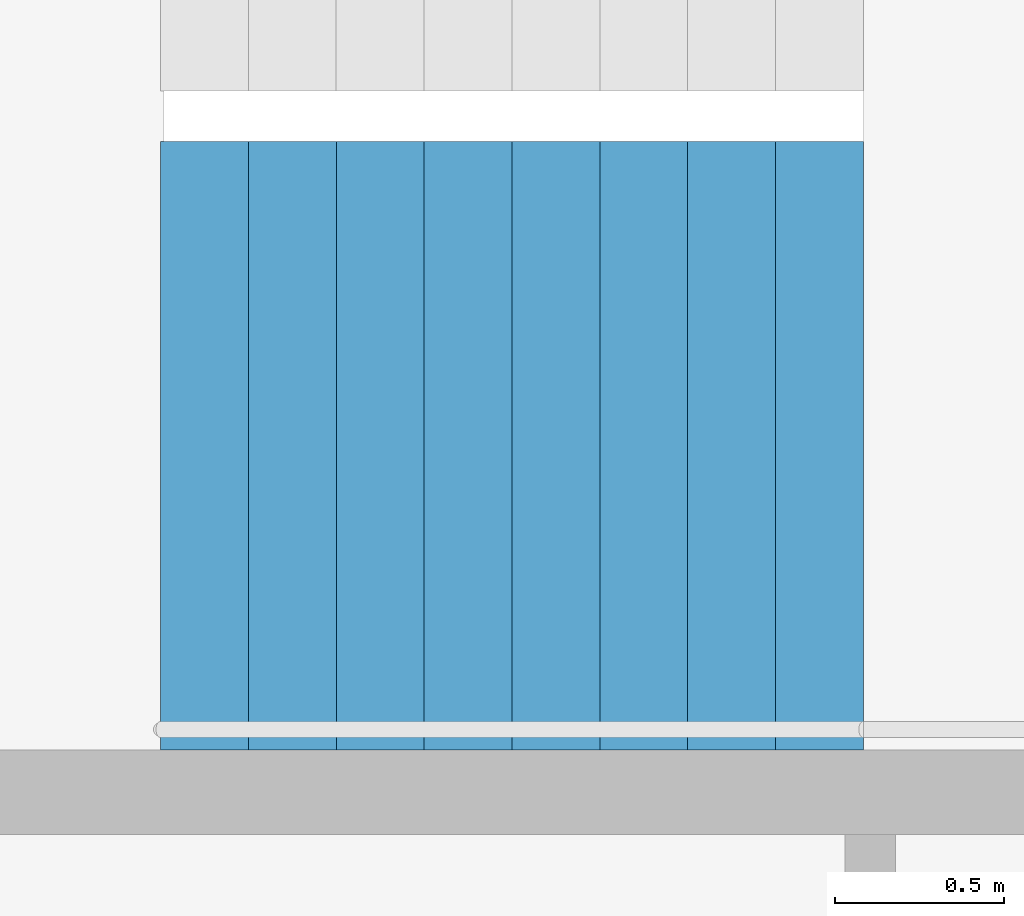
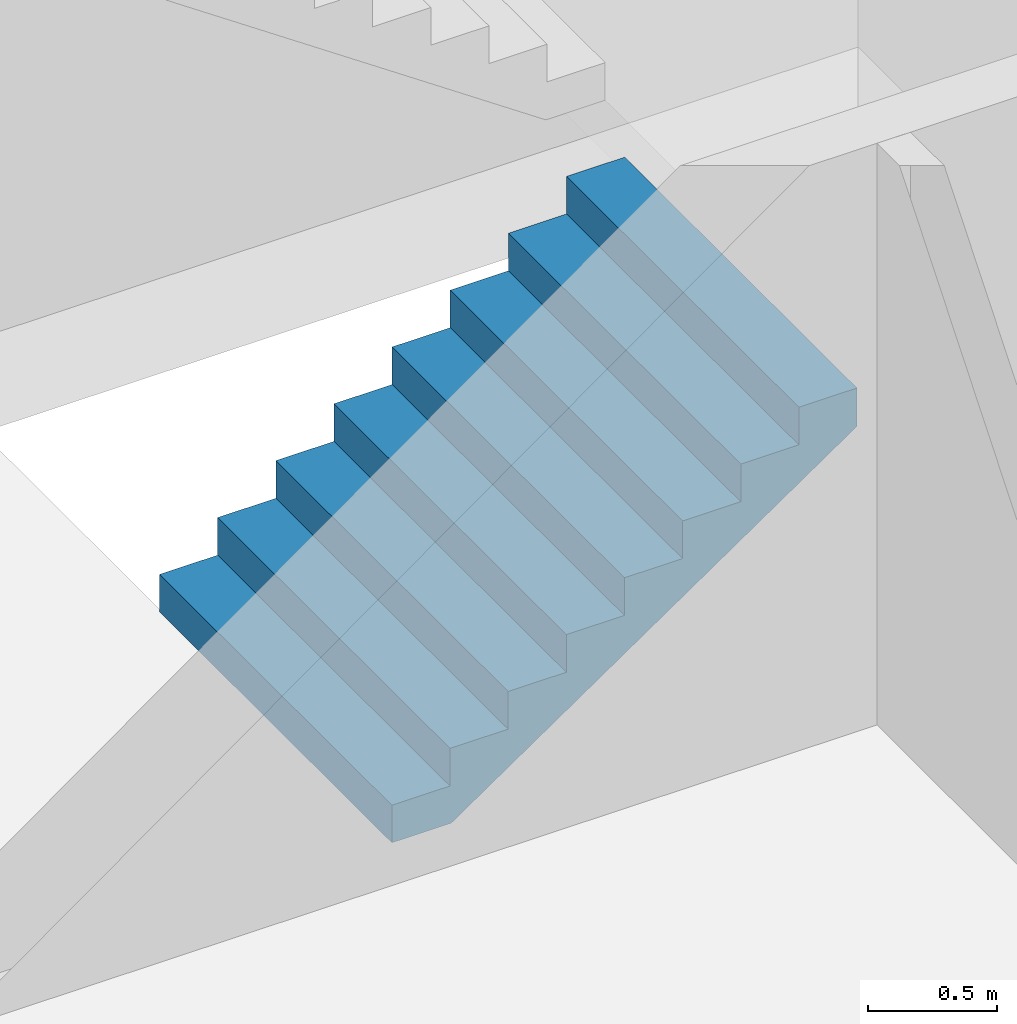
# One storey, part 20 of 26: 1 stair flight, 1 element without a shape of its own.
"""IFC4 building model written with IfcOpenShell, lengths in metres."""

from ifc_helpers import new_model, si_unit, direction, frame, origin, place, context, subcontext, project, spatial, triangles, material, type_object, element, aggregate, save


model = new_model("IFC4")

# Units and contexts
model_context = context("Model", 3, precision=1e-05, world=origin(), true_north=direction((0.0, 1.0)))
body_context = subcontext(model_context, "Body", "Model", "MODEL_VIEW")
ifc_project = project(units=[si_unit("LENGTHUNIT", "METRE"), si_unit("AREAUNIT", "SQUARE_METRE"), si_unit("VOLUMEUNIT", "CUBIC_METRE"), si_unit("PLANEANGLEUNIT", "RADIAN"), si_unit("MASSUNIT", "GRAM", prefix="KILO")], contexts=[model_context])

# Site, building, storey
site_placement = place(None, origin())
site = spatial("IfcSite", under=ifc_project, at=site_placement, CompositionType="ELEMENT")
building_placement = place(site_placement, origin())
building = spatial("IfcBuilding", under=site, at=building_placement, Name="Hakoniwa Tower and Hamabe Station Hall", CompositionType="ELEMENT")
storey_placement = place(building_placement, frame((0.0, 0.0, 215.39990234375)))
storey = spatial("IfcBuildingStorey", under=building, at=storey_placement, Name="L61", CompositionType="ELEMENT", Elevation=215.39990234375)

# Stair, stair flight
ifc_material_1 = material(Name="Concrete C40", Category="concrete")
stair_type = type_object("IfcStairType", Name="ESCAPE STAIR 1800", PredefinedType="HALF_TURN_STAIR", material=ifc_material_1)
stair_placement = place(storey_placement, origin())
stair = element("IfcStair", 1, at=stair_placement, inside=storey, type_object=stair_type, Name="Escape stair ST-1 L61", PredefinedType="HALF_TURN_STAIR")
ifc_material_2 = material(Name="Concrete C40", Category="concrete")
stair_flight_type = type_object("IfcStairFlightType", Name="STAIR FLIGHT 1800", PredefinedType="STRAIGHT", material=ifc_material_2)
stair_flight_placement = place(storey_placement, frame((-24.39990234375, 4.64990234375, 0.0), z_axis=(0.0, 0.0, 1.0), x_axis=(1.0, 0.0, 0.0)))
stair_flight = element("IfcStairFlight", 2, at=stair_flight_placement, type_object=stair_flight_type, Name="ST-1 flight 1", NumberOfRisers=9, NumberOfTreads=8, PredefinedType="STRAIGHT", RiserHeight=0.177777778, TreadLength=0.26, context=body_context, shape_type="Tessellation", body=[
    triangles([(0.0, 0.89990234375, 0.0), (0.260009765625, 0.89990234375, 0.0), (0.265625, 0.89990234375, 0.0), (0.52001953125, 0.89990234375, 0.174072265625), (0.780029296875, 0.89990234375, 0.351806640625), (1.0400390625, 0.89990234375, 0.529541015625), (1.300048828125, 0.89990234375, 0.707275390625), (1.56005859375, 0.89990234375, 0.885009765625), (1.820068359375, 0.89990234375, 1.062744140625), (2.080078125, 0.89990234375, 1.24072265625), (2.080078125, 0.89990234375, 1.422119140625), (1.820068359375, 0.89990234375, 1.422119140625), (1.820068359375, 0.89990234375, 1.244384765625), (1.56005859375, 0.89990234375, 1.244384765625), (1.56005859375, 0.89990234375, 1.066650390625), (1.300048828125, 0.89990234375, 1.066650390625), (1.300048828125, 0.89990234375, 0.888916015625), (1.0400390625, 0.89990234375, 0.888916015625), (1.0400390625, 0.89990234375, 0.711181640625), (0.780029296875, 0.89990234375, 0.711181640625), (0.780029296875, 0.89990234375, 0.533447265625), (0.52001953125, 0.89990234375, 0.533447265625), (0.52001953125, 0.89990234375, 0.35546875), (0.265625, 0.89990234375, 0.35546875), (0.260009765625, 0.89990234375, 0.35546875), (0.260009765625, 0.89990234375, 0.177734375), (0.0, 0.89990234375, 0.177734375), (0.0, 0.06005859375, 0.0), (0.260009765625, 0.06005859375, 0.0), (0.265625, 0.06005859375, 0.0), (0.52001953125, 0.06005859375, 0.174072265625), (0.780029296875, 0.06005859375, 0.351806640625), (1.0400390625, 0.06005859375, 0.529541015625), (1.300048828125, 0.06005859375, 0.707275390625), (1.56005859375, 0.06005859375, 0.885009765625), (1.820068359375, 0.06005859375, 1.062744140625), (2.080078125, 0.06005859375, 1.24072265625), (2.080078125, 0.06005859375, 1.422119140625), (1.820068359375, 0.06005859375, 1.422119140625), (1.820068359375, 0.06005859375, 1.244384765625), (1.56005859375, 0.06005859375, 1.244384765625), (1.56005859375, 0.06005859375, 1.066650390625), (1.300048828125, 0.06005859375, 1.066650390625), (1.300048828125, 0.06005859375, 0.888916015625), (1.0400390625, 0.06005859375, 0.888916015625), (1.0400390625, 0.06005859375, 0.711181640625), (0.780029296875, 0.06005859375, 0.711181640625), (0.780029296875, 0.06005859375, 0.533447265625), (0.52001953125, 0.06005859375, 0.533447265625), (0.52001953125, 0.06005859375, 0.35546875), (0.265625, 0.06005859375, 0.35546875), (0.260009765625, 0.06005859375, 0.35546875), (0.260009765625, 0.06005859375, 0.177734375), (0.0, 0.06005859375, 0.177734375), (0.0, 0.04296875, 0.0), (0.260009765625, 0.04296875, 0.0), (0.265625, 0.04296875, 0.0), (0.52001953125, 0.04296875, 0.174072265625), (0.780029296875, 0.04296875, 0.351806640625), (1.0400390625, 0.04296875, 0.529541015625), (1.300048828125, 0.04296875, 0.707275390625), (1.56005859375, 0.04296875, 0.885009765625), (1.820068359375, 0.04296875, 1.062744140625), (2.080078125, 0.04296875, 1.24072265625), (2.080078125, 0.04296875, 1.422119140625), (1.820068359375, 0.04296875, 1.422119140625), (1.820068359375, 0.04296875, 1.244384765625), (1.56005859375, 0.04296875, 1.244384765625), (1.56005859375, 0.04296875, 1.066650390625), (1.300048828125, 0.04296875, 1.066650390625), (1.300048828125, 0.04296875, 0.888916015625), (1.0400390625, 0.04296875, 0.888916015625), (1.0400390625, 0.04296875, 0.711181640625), (0.780029296875, 0.04296875, 0.711181640625), (0.780029296875, 0.04296875, 0.533447265625), (0.52001953125, 0.04296875, 0.533447265625), (0.52001953125, 0.04296875, 0.35546875), (0.265625, 0.04296875, 0.35546875), (0.260009765625, 0.04296875, 0.35546875), (0.260009765625, 0.04296875, 0.177734375), (0.0, 0.04296875, 0.177734375), (0.0, 0.025634765625, 0.0), (0.260009765625, 0.025634765625, 0.0), (0.265625, 0.025634765625, 0.0), (0.52001953125, 0.025634765625, 0.174072265625), (0.780029296875, 0.025634765625, 0.351806640625), (1.0400390625, 0.025634765625, 0.529541015625), (1.300048828125, 0.025634765625, 0.707275390625), (1.56005859375, 0.025634765625, 0.885009765625), (1.820068359375, 0.025634765625, 1.062744140625), (2.080078125, 0.025634765625, 1.24072265625), (2.080078125, 0.025634765625, 1.422119140625), (1.820068359375, 0.025634765625, 1.422119140625), (1.820068359375, 0.025634765625, 1.244384765625), (1.56005859375, 0.025634765625, 1.244384765625), (1.56005859375, 0.025634765625, 1.066650390625), (1.300048828125, 0.025634765625, 1.066650390625), (1.300048828125, 0.025634765625, 0.888916015625), (1.0400390625, 0.025634765625, 0.888916015625), (1.0400390625, 0.025634765625, 0.711181640625), (0.780029296875, 0.025634765625, 0.711181640625), (0.780029296875, 0.025634765625, 0.533447265625), (0.52001953125, 0.025634765625, 0.533447265625), (0.52001953125, 0.025634765625, 0.35546875), (0.265625, 0.025634765625, 0.35546875), (0.260009765625, 0.025634765625, 0.35546875), (0.260009765625, 0.025634765625, 0.177734375), (0.0, 0.025634765625, 0.177734375), (0.0, 0.008544921875, 0.0), (0.260009765625, 0.008544921875, 0.0), (0.265625, 0.008544921875, 0.0), (0.52001953125, 0.008544921875, 0.174072265625), (0.780029296875, 0.008544921875, 0.351806640625), (1.0400390625, 0.008544921875, 0.529541015625), (1.300048828125, 0.008544921875, 0.707275390625), (1.56005859375, 0.008544921875, 0.885009765625), (1.820068359375, 0.008544921875, 1.062744140625), (2.080078125, 0.008544921875, 1.24072265625), (2.080078125, 0.008544921875, 1.422119140625), (1.820068359375, 0.008544921875, 1.422119140625), (1.820068359375, 0.008544921875, 1.244384765625), (1.56005859375, 0.008544921875, 1.244384765625), (1.56005859375, 0.008544921875, 1.066650390625), (1.300048828125, 0.008544921875, 1.066650390625), (1.300048828125, 0.008544921875, 0.888916015625), (1.0400390625, 0.008544921875, 0.888916015625), (1.0400390625, 0.008544921875, 0.711181640625), (0.780029296875, 0.008544921875, 0.711181640625), (0.780029296875, 0.008544921875, 0.533447265625), (0.52001953125, 0.008544921875, 0.533447265625), (0.52001953125, 0.008544921875, 0.35546875), (0.265625, 0.008544921875, 0.35546875), (0.260009765625, 0.008544921875, 0.35546875), (0.260009765625, 0.008544921875, 0.177734375), (0.0, 0.008544921875, 0.177734375), (0.0, -0.008544921875, 0.0), (0.260009765625, -0.008544921875, 0.0), (0.265625, -0.008544921875, 0.0), (0.52001953125, -0.008544921875, 0.174072265625), (0.780029296875, -0.008544921875, 0.351806640625), (1.0400390625, -0.008544921875, 0.529541015625), (1.300048828125, -0.008544921875, 0.707275390625), (1.56005859375, -0.008544921875, 0.885009765625), (1.820068359375, -0.008544921875, 1.062744140625), (2.080078125, -0.008544921875, 1.24072265625), (2.080078125, -0.008544921875, 1.422119140625), (1.820068359375, -0.008544921875, 1.422119140625), (1.820068359375, -0.008544921875, 1.244384765625), (1.56005859375, -0.008544921875, 1.244384765625), (1.56005859375, -0.008544921875, 1.066650390625), (1.300048828125, -0.008544921875, 1.066650390625), (1.300048828125, -0.008544921875, 0.888916015625), (1.0400390625, -0.008544921875, 0.888916015625), (1.0400390625, -0.008544921875, 0.711181640625), (0.780029296875, -0.008544921875, 0.711181640625), (0.780029296875, -0.008544921875, 0.533447265625), (0.52001953125, -0.008544921875, 0.533447265625), (0.52001953125, -0.008544921875, 0.35546875), (0.265625, -0.008544921875, 0.35546875), (0.260009765625, -0.008544921875, 0.35546875), (0.260009765625, -0.008544921875, 0.177734375), (0.0, -0.008544921875, 0.177734375), (0.0, -0.025634765625, 0.0), (0.260009765625, -0.025634765625, 0.0), (0.265625, -0.025634765625, 0.0), (0.52001953125, -0.025634765625, 0.174072265625), (0.780029296875, -0.025634765625, 0.351806640625), (1.0400390625, -0.025634765625, 0.529541015625), (1.300048828125, -0.025634765625, 0.707275390625), (1.56005859375, -0.025634765625, 0.885009765625), (1.820068359375, -0.025634765625, 1.062744140625), (2.080078125, -0.025634765625, 1.24072265625), (2.080078125, -0.025634765625, 1.422119140625), (1.820068359375, -0.025634765625, 1.422119140625), (1.820068359375, -0.025634765625, 1.244384765625), (1.56005859375, -0.025634765625, 1.244384765625), (1.56005859375, -0.025634765625, 1.066650390625), (1.300048828125, -0.025634765625, 1.066650390625), (1.300048828125, -0.025634765625, 0.888916015625), (1.0400390625, -0.025634765625, 0.888916015625), (1.0400390625, -0.025634765625, 0.711181640625), (0.780029296875, -0.025634765625, 0.711181640625), (0.780029296875, -0.025634765625, 0.533447265625), (0.52001953125, -0.025634765625, 0.533447265625), (0.52001953125, -0.025634765625, 0.35546875), (0.265625, -0.025634765625, 0.35546875), (0.260009765625, -0.025634765625, 0.35546875), (0.260009765625, -0.025634765625, 0.177734375), (0.0, -0.025634765625, 0.177734375), (0.0, -0.04296875, 0.0), (0.260009765625, -0.04296875, 0.0), (0.265625, -0.04296875, 0.0), (0.52001953125, -0.04296875, 0.174072265625), (0.780029296875, -0.04296875, 0.351806640625), (1.0400390625, -0.04296875, 0.529541015625), (1.300048828125, -0.04296875, 0.707275390625), (1.56005859375, -0.04296875, 0.885009765625), (1.820068359375, -0.04296875, 1.062744140625), (2.080078125, -0.04296875, 1.24072265625), (2.080078125, -0.04296875, 1.422119140625), (1.820068359375, -0.04296875, 1.422119140625), (1.820068359375, -0.04296875, 1.244384765625), (1.56005859375, -0.04296875, 1.244384765625), (1.56005859375, -0.04296875, 1.066650390625), (1.300048828125, -0.04296875, 1.066650390625), (1.300048828125, -0.04296875, 0.888916015625), (1.0400390625, -0.04296875, 0.888916015625), (1.0400390625, -0.04296875, 0.711181640625), (0.780029296875, -0.04296875, 0.711181640625), (0.780029296875, -0.04296875, 0.533447265625), (0.52001953125, -0.04296875, 0.533447265625), (0.52001953125, -0.04296875, 0.35546875), (0.265625, -0.04296875, 0.35546875), (0.260009765625, -0.04296875, 0.35546875), (0.260009765625, -0.04296875, 0.177734375), (0.0, -0.04296875, 0.177734375), (0.0, -0.06005859375, 0.0), (0.260009765625, -0.06005859375, 0.0), (0.265625, -0.06005859375, 0.0), (0.52001953125, -0.06005859375, 0.174072265625), (0.780029296875, -0.06005859375, 0.351806640625), (1.0400390625, -0.06005859375, 0.529541015625), (1.300048828125, -0.06005859375, 0.707275390625), (1.56005859375, -0.06005859375, 0.885009765625), (1.820068359375, -0.06005859375, 1.062744140625), (2.080078125, -0.06005859375, 1.24072265625), (2.080078125, -0.06005859375, 1.422119140625), (1.820068359375, -0.06005859375, 1.422119140625), (1.820068359375, -0.06005859375, 1.244384765625), (1.56005859375, -0.06005859375, 1.244384765625), (1.56005859375, -0.06005859375, 1.066650390625), (1.300048828125, -0.06005859375, 1.066650390625), (1.300048828125, -0.06005859375, 0.888916015625), (1.0400390625, -0.06005859375, 0.888916015625), (1.0400390625, -0.06005859375, 0.711181640625), (0.780029296875, -0.06005859375, 0.711181640625), (0.780029296875, -0.06005859375, 0.533447265625), (0.52001953125, -0.06005859375, 0.533447265625), (0.52001953125, -0.06005859375, 0.35546875), (0.265625, -0.06005859375, 0.35546875), (0.260009765625, -0.06005859375, 0.35546875), (0.260009765625, -0.06005859375, 0.177734375), (0.0, -0.06005859375, 0.177734375), (0.0, -0.89990234375, 0.0), (0.260009765625, -0.89990234375, 0.0), (0.265625, -0.89990234375, 0.0), (0.52001953125, -0.89990234375, 0.174072265625), (0.780029296875, -0.89990234375, 0.351806640625), (1.0400390625, -0.89990234375, 0.529541015625), (1.300048828125, -0.89990234375, 0.707275390625), (1.56005859375, -0.89990234375, 0.885009765625), (1.820068359375, -0.89990234375, 1.062744140625), (2.080078125, -0.89990234375, 1.24072265625), (2.080078125, -0.89990234375, 1.422119140625), (1.820068359375, -0.89990234375, 1.422119140625), (1.820068359375, -0.89990234375, 1.244384765625), (1.56005859375, -0.89990234375, 1.244384765625), (1.56005859375, -0.89990234375, 1.066650390625), (1.300048828125, -0.89990234375, 1.066650390625), (1.300048828125, -0.89990234375, 0.888916015625), (1.0400390625, -0.89990234375, 0.888916015625), (1.0400390625, -0.89990234375, 0.711181640625), (0.780029296875, -0.89990234375, 0.711181640625), (0.780029296875, -0.89990234375, 0.533447265625), (0.52001953125, -0.89990234375, 0.533447265625), (0.52001953125, -0.89990234375, 0.35546875), (0.265625, -0.89990234375, 0.35546875), (0.260009765625, -0.89990234375, 0.35546875), (0.260009765625, -0.89990234375, 0.177734375), (0.0, -0.89990234375, 0.177734375)], [[2, 27, 26], [245, 269, 270], [2, 1, 27], [245, 270, 244], [3, 25, 24], [246, 267, 268], [3, 26, 25], [246, 268, 269], [3, 2, 26], [246, 269, 245], [4, 24, 23], [247, 266, 267], [4, 3, 24], [247, 267, 246], [5, 22, 21], [248, 264, 265], [5, 23, 22], [248, 265, 266], [5, 4, 23], [248, 266, 247], [6, 20, 19], [249, 262, 263], [6, 21, 20], [249, 263, 264], [6, 5, 21], [249, 264, 248], [7, 18, 17], [250, 260, 261], [7, 19, 18], [250, 261, 262], [7, 6, 19], [250, 262, 249], [8, 16, 15], [251, 258, 259], [8, 17, 16], [251, 259, 260], [8, 7, 17], [251, 260, 250], [9, 14, 13], [252, 256, 257], [9, 15, 14], [252, 257, 258], [9, 8, 15], [252, 258, 251], [10, 12, 11], [253, 254, 255], [10, 13, 12], [253, 255, 256], [10, 9, 13], [253, 256, 252], [1, 2, 29], [1, 29, 28], [28, 29, 56], [28, 56, 55], [55, 56, 83], [55, 83, 82], [82, 83, 110], [82, 110, 109], [109, 110, 137], [109, 137, 136], [136, 137, 164], [136, 164, 163], [163, 164, 191], [163, 191, 190], [190, 191, 218], [190, 218, 217], [217, 218, 245], [217, 245, 244], [2, 3, 30], [2, 30, 29], [29, 30, 57], [29, 57, 56], [56, 57, 84], [56, 84, 83], [83, 84, 111], [83, 111, 110], [110, 111, 138], [110, 138, 137], [137, 138, 165], [137, 165, 164], [164, 165, 192], [164, 192, 191], [191, 192, 219], [191, 219, 218], [218, 219, 246], [218, 246, 245], [3, 4, 31], [3, 31, 30], [30, 31, 58], [30, 58, 57], [57, 58, 85], [57, 85, 84], [84, 85, 112], [84, 112, 111], [111, 112, 139], [111, 139, 138], [138, 139, 166], [138, 166, 165], [165, 166, 193], [165, 193, 192], [192, 193, 220], [192, 220, 219], [219, 220, 247], [219, 247, 246], [4, 5, 32], [4, 32, 31], [31, 32, 59], [31, 59, 58], [58, 59, 86], [58, 86, 85], [85, 86, 113], [85, 113, 112], [112, 113, 140], [112, 140, 139], [139, 140, 167], [139, 167, 166], [166, 167, 194], [166, 194, 193], [193, 194, 221], [193, 221, 220], [220, 221, 248], [220, 248, 247], [5, 6, 33], [5, 33, 32], [32, 33, 60], [32, 60, 59], [59, 60, 87], [59, 87, 86], [86, 87, 114], [86, 114, 113], [113, 114, 141], [113, 141, 140], [140, 141, 168], [140, 168, 167], [167, 168, 195], [167, 195, 194], [194, 195, 222], [194, 222, 221], [221, 222, 249], [221, 249, 248], [6, 7, 34], [6, 34, 33], [33, 34, 61], [33, 61, 60], [60, 61, 88], [60, 88, 87], [87, 88, 115], [87, 115, 114], [114, 115, 142], [114, 142, 141], [141, 142, 169], [141, 169, 168], [168, 169, 196], [168, 196, 195], [195, 196, 223], [195, 223, 222], [222, 223, 250], [222, 250, 249], [7, 8, 35], [7, 35, 34], [34, 35, 62], [34, 62, 61], [61, 62, 89], [61, 89, 88], [88, 89, 116], [88, 116, 115], [115, 116, 143], [115, 143, 142], [142, 143, 170], [142, 170, 169], [169, 170, 197], [169, 197, 196], [196, 197, 224], [196, 224, 223], [223, 224, 251], [223, 251, 250], [8, 9, 36], [8, 36, 35], [35, 36, 63], [35, 63, 62], [62, 63, 90], [62, 90, 89], [89, 90, 117], [89, 117, 116], [116, 117, 144], [116, 144, 143], [143, 144, 171], [143, 171, 170], [170, 171, 198], [170, 198, 197], [197, 198, 225], [197, 225, 224], [224, 225, 252], [224, 252, 251], [9, 10, 37], [9, 37, 36], [36, 37, 64], [36, 64, 63], [63, 64, 91], [63, 91, 90], [90, 91, 118], [90, 118, 117], [117, 118, 145], [117, 145, 144], [144, 145, 172], [144, 172, 171], [171, 172, 199], [171, 199, 198], [198, 199, 226], [198, 226, 225], [225, 226, 253], [225, 253, 252], [10, 11, 38], [10, 38, 37], [37, 38, 65], [37, 65, 64], [64, 65, 92], [64, 92, 91], [91, 92, 119], [91, 119, 118], [118, 119, 146], [118, 146, 145], [145, 146, 173], [145, 173, 172], [172, 173, 200], [172, 200, 199], [199, 200, 227], [199, 227, 226], [226, 227, 254], [226, 254, 253], [11, 12, 39], [11, 39, 38], [38, 39, 66], [38, 66, 65], [65, 66, 93], [65, 93, 92], [92, 93, 120], [92, 120, 119], [119, 120, 147], [119, 147, 146], [146, 147, 174], [146, 174, 173], [173, 174, 201], [173, 201, 200], [200, 201, 228], [200, 228, 227], [227, 228, 255], [227, 255, 254], [12, 13, 40], [12, 40, 39], [39, 40, 67], [39, 67, 66], [66, 67, 94], [66, 94, 93], [93, 94, 121], [93, 121, 120], [120, 121, 148], [120, 148, 147], [147, 148, 175], [147, 175, 174], [174, 175, 202], [174, 202, 201], [201, 202, 229], [201, 229, 228], [228, 229, 256], [228, 256, 255], [13, 14, 41], [13, 41, 40], [40, 41, 68], [40, 68, 67], [67, 68, 95], [67, 95, 94], [94, 95, 122], [94, 122, 121], [121, 122, 149], [121, 149, 148], [148, 149, 176], [148, 176, 175], [175, 176, 203], [175, 203, 202], [202, 203, 230], [202, 230, 229], [229, 230, 257], [229, 257, 256], [14, 15, 42], [14, 42, 41], [41, 42, 69], [41, 69, 68], [68, 69, 96], [68, 96, 95], [95, 96, 123], [95, 123, 122], [122, 123, 150], [122, 150, 149], [149, 150, 177], [149, 177, 176], [176, 177, 204], [176, 204, 203], [203, 204, 231], [203, 231, 230], [230, 231, 258], [230, 258, 257], [15, 16, 43], [15, 43, 42], [42, 43, 70], [42, 70, 69], [69, 70, 97], [69, 97, 96], [96, 97, 124], [96, 124, 123], [123, 124, 151], [123, 151, 150], [150, 151, 178], [150, 178, 177], [177, 178, 205], [177, 205, 204], [204, 205, 232], [204, 232, 231], [231, 232, 259], [231, 259, 258], [16, 17, 44], [16, 44, 43], [43, 44, 71], [43, 71, 70], [70, 71, 98], [70, 98, 97], [97, 98, 125], [97, 125, 124], [124, 125, 152], [124, 152, 151], [151, 152, 179], [151, 179, 178], [178, 179, 206], [178, 206, 205], [205, 206, 233], [205, 233, 232], [232, 233, 260], [232, 260, 259], [17, 18, 45], [17, 45, 44], [44, 45, 72], [44, 72, 71], [71, 72, 99], [71, 99, 98], [98, 99, 126], [98, 126, 125], [125, 126, 153], [125, 153, 152], [152, 153, 180], [152, 180, 179], [179, 180, 207], [179, 207, 206], [206, 207, 234], [206, 234, 233], [233, 234, 261], [233, 261, 260], [18, 19, 46], [18, 46, 45], [45, 46, 73], [45, 73, 72], [72, 73, 100], [72, 100, 99], [99, 100, 127], [99, 127, 126], [126, 127, 154], [126, 154, 153], [153, 154, 181], [153, 181, 180], [180, 181, 208], [180, 208, 207], [207, 208, 235], [207, 235, 234], [234, 235, 262], [234, 262, 261], [19, 20, 47], [19, 47, 46], [46, 47, 74], [46, 74, 73], [73, 74, 101], [73, 101, 100], [100, 101, 128], [100, 128, 127], [127, 128, 155], [127, 155, 154], [154, 155, 182], [154, 182, 181], [181, 182, 209], [181, 209, 208], [208, 209, 236], [208, 236, 235], [235, 236, 263], [235, 263, 262], [20, 21, 48], [20, 48, 47], [47, 48, 75], [47, 75, 74], [74, 75, 102], [74, 102, 101], [101, 102, 129], [101, 129, 128], [128, 129, 156], [128, 156, 155], [155, 156, 183], [155, 183, 182], [182, 183, 210], [182, 210, 209], [209, 210, 237], [209, 237, 236], [236, 237, 264], [236, 264, 263], [21, 22, 49], [21, 49, 48], [48, 49, 76], [48, 76, 75], [75, 76, 103], [75, 103, 102], [102, 103, 130], [102, 130, 129], [129, 130, 157], [129, 157, 156], [156, 157, 184], [156, 184, 183], [183, 184, 211], [183, 211, 210], [210, 211, 238], [210, 238, 237], [237, 238, 265], [237, 265, 264], [22, 23, 50], [22, 50, 49], [49, 50, 77], [49, 77, 76], [76, 77, 104], [76, 104, 103], [103, 104, 131], [103, 131, 130], [130, 131, 158], [130, 158, 157], [157, 158, 185], [157, 185, 184], [184, 185, 212], [184, 212, 211], [211, 212, 239], [211, 239, 238], [238, 239, 266], [238, 266, 265], [23, 24, 51], [23, 51, 50], [50, 51, 78], [50, 78, 77], [77, 78, 105], [77, 105, 104], [104, 105, 132], [104, 132, 131], [131, 132, 159], [131, 159, 158], [158, 159, 186], [158, 186, 185], [185, 186, 213], [185, 213, 212], [212, 213, 240], [212, 240, 239], [239, 240, 267], [239, 267, 266], [24, 25, 52], [24, 52, 51], [51, 52, 79], [51, 79, 78], [78, 79, 106], [78, 106, 105], [105, 106, 133], [105, 133, 132], [132, 133, 160], [132, 160, 159], [159, 160, 187], [159, 187, 186], [186, 187, 214], [186, 214, 213], [213, 214, 241], [213, 241, 240], [240, 241, 268], [240, 268, 267], [25, 26, 53], [25, 53, 52], [52, 53, 80], [52, 80, 79], [79, 80, 107], [79, 107, 106], [106, 107, 134], [106, 134, 133], [133, 134, 161], [133, 161, 160], [160, 161, 188], [160, 188, 187], [187, 188, 215], [187, 215, 214], [214, 215, 242], [214, 242, 241], [241, 242, 269], [241, 269, 268], [26, 27, 54], [26, 54, 53], [53, 54, 81], [53, 81, 80], [80, 81, 108], [80, 108, 107], [107, 108, 135], [107, 135, 134], [134, 135, 162], [134, 162, 161], [161, 162, 189], [161, 189, 188], [188, 189, 216], [188, 216, 215], [215, 216, 243], [215, 243, 242], [242, 243, 270], [242, 270, 269], [27, 1, 28], [27, 28, 54], [54, 28, 55], [54, 55, 81], [81, 55, 82], [81, 82, 108], [108, 82, 109], [108, 109, 135], [135, 109, 136], [135, 136, 162], [162, 136, 163], [162, 163, 189], [189, 163, 190], [189, 190, 216], [216, 190, 217], [216, 217, 243], [243, 217, 244], [243, 244, 270]], closed=True),
])
aggregate(stair, [stair_flight])

save(model, "model.ifc")
